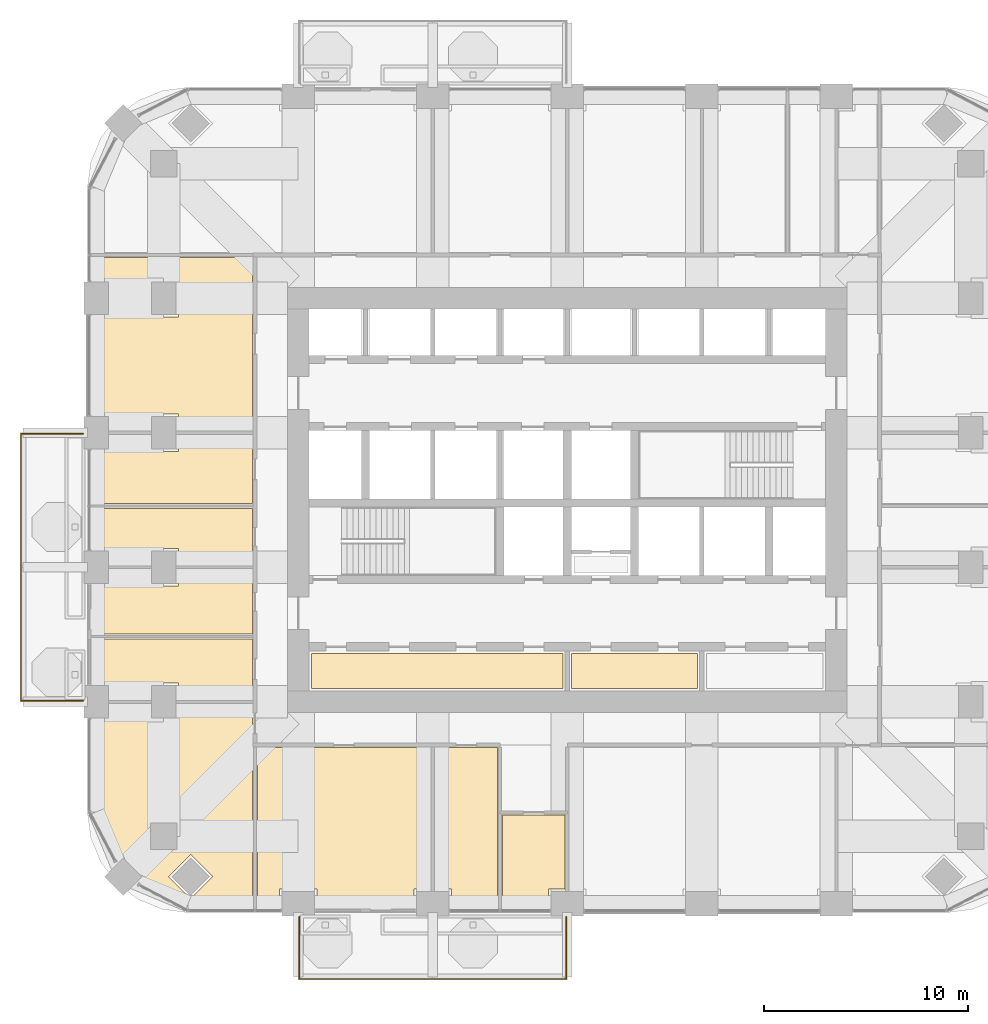
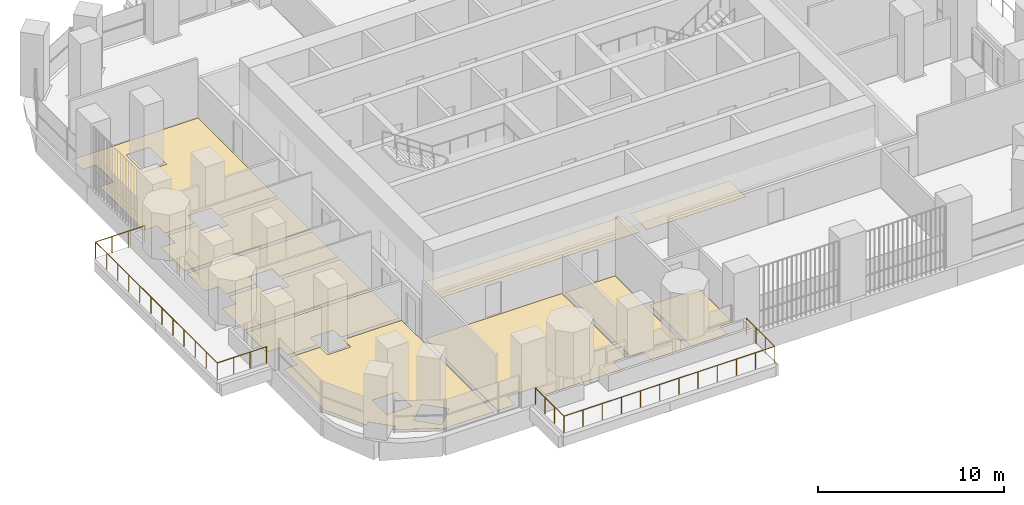
# One storey, part 16 of 20: 11 coverings, 2 railings.
"""IFC4 building model written with IfcOpenShell, lengths in metres."""

from ifc_helpers import new_model, si_unit, direction, frame, origin, place, context, subcontext, project, spatial, polyline, outline, extrude, material, layer, layer_set, type_object, element, save


model = new_model("IFC4")

# Units and contexts
model_context = context("Model", 3, precision=1e-05, world=origin(), true_north=direction((0.0, 1.0)))
body_context = subcontext(model_context, "Body", "Model", "MODEL_VIEW")
ifc_project = project(units=[si_unit("LENGTHUNIT", "METRE"), si_unit("AREAUNIT", "SQUARE_METRE"), si_unit("VOLUMEUNIT", "CUBIC_METRE"), si_unit("PLANEANGLEUNIT", "RADIAN"), si_unit("MASSUNIT", "GRAM", prefix="KILO")], contexts=[model_context])

# Site, building, storey
site_placement = place(None, origin())
site = spatial("IfcSite", under=ifc_project, at=site_placement, CompositionType="ELEMENT")
building_placement = place(site_placement, origin())
building = spatial("IfcBuilding", under=site, at=building_placement, Name="Cobogo Forest Laboratory Tower", CompositionType="ELEMENT")
storey_placement = place(building_placement, frame((0.0, 0.0, 218.699951171875)))
storey = spatial("IfcBuildingStorey", under=building, at=storey_placement, Name="L50", CompositionType="ELEMENT", Elevation=218.699951171875)

# Railings
ifc_material_1 = material(Name="Laminated glass balustrade", Category="glass")
railing_type = type_object("IfcRailingType", Name="BG1 glass balustrade 1100", PredefinedType="GUARDRAIL", material=ifc_material_1)
railing_1_placement = place(storey_placement, frame((13.25, 2.64990234375, 0.0)))
element("IfcRailing", 1, at=railing_1_placement, inside=storey, type_object=railing_type, Name="Balcony balustrade BAL-S1 L50", PredefinedType="GUARDRAIL", context=body_context, shape_type="SweptSolid", body=[
    extrude(outline(polyline([(0.022216796875, 0.00927734375), (0.00927734375, 0.022216796875), (-0.00927734375, 0.022216796875), (-0.022216796875, 0.00927734375), (-0.022216796875, -0.00927734375), (-0.00927734375, -0.022216796875), (0.00927734375, -0.022216796875), (0.022216796875, -0.00927734375), (0.022216796875, 0.00927734375)])), frame((0.0, 0.0, 1.077880859375), z_axis=(0.0, -1.0, 0.0), x_axis=(1.0, 0.0, 0.0)), (0.0, 0.0, 1.0), 3.0498046875),
    extrude(outline(polyline([(0.022216796875, 0.00927734375), (0.00927734375, 0.022216796875), (-0.00927734375, 0.022216796875), (-0.022216796875, 0.00927734375), (-0.022216796875, -0.00927734375), (-0.00927734375, -0.022216796875), (0.00927734375, -0.022216796875), (0.022216796875, -0.00927734375), (0.022216796875, 0.00927734375)])), frame((0.0, -3.0498046875, 1.077880859375), z_axis=(1.0, 0.0, 0.0), x_axis=(0.0, 1.0, 0.0)), (0.0, 0.0, 1.0), 13.10009765625),
    extrude(outline(polyline([(0.022216796875, 0.00927734375), (0.00927734375, 0.022216796875), (-0.00927734375, 0.022216796875), (-0.022216796875, 0.00927734375), (-0.022216796875, -0.00927734375), (-0.00927734375, -0.022216796875), (0.00927734375, -0.022216796875), (0.022216796875, -0.00927734375), (0.022216796875, 0.00927734375)])), frame((13.10009765625, -3.0498046875, 1.077880859375), z_axis=(0.0, 1.0, 0.0), x_axis=(-1.0, 0.0, 0.0)), (0.0, 0.0, 1.0), 3.0498046875),
    extrude(outline(polyline([(0.019287109375, 0.008056640625), (0.008056640625, 0.019287109375), (-0.008056640625, 0.019287109375), (-0.019287109375, 0.008056640625), (-0.019287109375, -0.008056640625), (-0.008056640625, -0.019287109375), (0.008056640625, -0.019287109375), (0.019287109375, -0.008056640625), (0.019287109375, 0.008056640625)])), origin(), (0.0, 0.0, 1.0), 1.077880859375),
    extrude(outline(polyline([(0.019287109375, 0.008056640625), (0.008056640625, 0.019287109375), (-0.008056640625, 0.019287109375), (-0.019287109375, 0.008056640625), (-0.019287109375, -0.008056640625), (-0.008056640625, -0.019287109375), (0.008056640625, -0.019287109375), (0.019287109375, -0.008056640625), (0.019287109375, 0.008056640625)])), frame((0.0, -1.0166015625, 0.0)), (0.0, 0.0, 1.0), 1.077880859375),
    extrude(outline(polyline([(0.019287109375, 0.008056640625), (0.008056640625, 0.019287109375), (-0.008056640625, 0.019287109375), (-0.019287109375, 0.008056640625), (-0.019287109375, -0.008056640625), (-0.008056640625, -0.019287109375), (0.008056640625, -0.019287109375), (0.019287109375, -0.008056640625), (0.019287109375, 0.008056640625)])), frame((0.0, -2.033203125, 0.0)), (0.0, 0.0, 1.0), 1.077880859375),
    extrude(outline(polyline([(0.019287109375, 0.008056640625), (0.008056640625, 0.019287109375), (-0.008056640625, 0.019287109375), (-0.019287109375, 0.008056640625), (-0.019287109375, -0.008056640625), (-0.008056640625, -0.019287109375), (0.008056640625, -0.019287109375), (0.019287109375, -0.008056640625), (0.019287109375, 0.008056640625)])), frame((0.0, -3.0498046875, 0.0)), (0.0, 0.0, 1.0), 1.077880859375),
    extrude(outline(polyline([(0.019287109375, 0.008056640625), (0.008056640625, 0.019287109375), (-0.008056640625, 0.019287109375), (-0.019287109375, 0.008056640625), (-0.019287109375, -0.008056640625), (-0.008056640625, -0.019287109375), (0.008056640625, -0.019287109375), (0.019287109375, -0.008056640625), (0.019287109375, 0.008056640625)])), frame((1.19091796875, -3.0498046875, 0.0)), (0.0, 0.0, 1.0), 1.077880859375),
    extrude(outline(polyline([(0.019287109375, 0.008056640625), (0.008056640625, 0.019287109375), (-0.008056640625, 0.019287109375), (-0.019287109375, 0.008056640625), (-0.019287109375, -0.008056640625), (-0.008056640625, -0.019287109375), (0.008056640625, -0.019287109375), (0.019287109375, -0.008056640625), (0.019287109375, 0.008056640625)])), frame((2.3818359375, -3.0498046875, 0.0)), (0.0, 0.0, 1.0), 1.077880859375),
    extrude(outline(polyline([(0.019287109375, 0.008056640625), (0.008056640625, 0.019287109375), (-0.008056640625, 0.019287109375), (-0.019287109375, 0.008056640625), (-0.019287109375, -0.008056640625), (-0.008056640625, -0.019287109375), (0.008056640625, -0.019287109375), (0.019287109375, -0.008056640625), (0.019287109375, 0.008056640625)])), frame((3.57275390625, -3.0498046875, 0.0)), (0.0, 0.0, 1.0), 1.077880859375),
    extrude(outline(polyline([(0.019287109375, 0.008056640625), (0.008056640625, 0.019287109375), (-0.008056640625, 0.019287109375), (-0.019287109375, 0.008056640625), (-0.019287109375, -0.008056640625), (-0.008056640625, -0.019287109375), (0.008056640625, -0.019287109375), (0.019287109375, -0.008056640625), (0.019287109375, 0.008056640625)])), frame((4.763671875, -3.0498046875, 0.0)), (0.0, 0.0, 1.0), 1.077880859375),
    extrude(outline(polyline([(0.019287109375, 0.008056640625), (0.008056640625, 0.019287109375), (-0.008056640625, 0.019287109375), (-0.019287109375, 0.008056640625), (-0.019287109375, -0.008056640625), (-0.008056640625, -0.019287109375), (0.008056640625, -0.019287109375), (0.019287109375, -0.008056640625), (0.019287109375, 0.008056640625)])), frame((5.95458984375, -3.0498046875, 0.0)), (0.0, 0.0, 1.0), 1.077880859375),
    extrude(outline(polyline([(0.019287109375, 0.008056640625), (0.008056640625, 0.019287109375), (-0.008056640625, 0.019287109375), (-0.019287109375, 0.008056640625), (-0.019287109375, -0.008056640625), (-0.008056640625, -0.019287109375), (0.008056640625, -0.019287109375), (0.019287109375, -0.008056640625), (0.019287109375, 0.008056640625)])), frame((7.1455078125, -3.0498046875, 0.0)), (0.0, 0.0, 1.0), 1.077880859375),
    extrude(outline(polyline([(0.019287109375, 0.008056640625), (0.008056640625, 0.019287109375), (-0.008056640625, 0.019287109375), (-0.019287109375, 0.008056640625), (-0.019287109375, -0.008056640625), (-0.008056640625, -0.019287109375), (0.008056640625, -0.019287109375), (0.019287109375, -0.008056640625), (0.019287109375, 0.008056640625)])), frame((8.33642578125, -3.0498046875, 0.0)), (0.0, 0.0, 1.0), 1.077880859375),
    extrude(outline(polyline([(0.019287109375, 0.008056640625), (0.008056640625, 0.019287109375), (-0.008056640625, 0.019287109375), (-0.019287109375, 0.008056640625), (-0.019287109375, -0.008056640625), (-0.008056640625, -0.019287109375), (0.008056640625, -0.019287109375), (0.019287109375, -0.008056640625), (0.019287109375, 0.008056640625)])), frame((9.52734375, -3.0498046875, 0.0)), (0.0, 0.0, 1.0), 1.077880859375),
    extrude(outline(polyline([(0.019287109375, 0.008056640625), (0.008056640625, 0.019287109375), (-0.008056640625, 0.019287109375), (-0.019287109375, 0.008056640625), (-0.019287109375, -0.008056640625), (-0.008056640625, -0.019287109375), (0.008056640625, -0.019287109375), (0.019287109375, -0.008056640625), (0.019287109375, 0.008056640625)])), frame((10.71826171875, -3.0498046875, 0.0)), (0.0, 0.0, 1.0), 1.077880859375),
    extrude(outline(polyline([(0.019287109375, 0.008056640625), (0.008056640625, 0.019287109375), (-0.008056640625, 0.019287109375), (-0.019287109375, 0.008056640625), (-0.019287109375, -0.008056640625), (-0.008056640625, -0.019287109375), (0.008056640625, -0.019287109375), (0.019287109375, -0.008056640625), (0.019287109375, 0.008056640625)])), frame((11.9091796875, -3.0498046875, 0.0)), (0.0, 0.0, 1.0), 1.077880859375),
    extrude(outline(polyline([(0.019287109375, 0.008056640625), (0.008056640625, 0.019287109375), (-0.008056640625, 0.019287109375), (-0.019287109375, 0.008056640625), (-0.019287109375, -0.008056640625), (-0.008056640625, -0.019287109375), (0.008056640625, -0.019287109375), (0.019287109375, -0.008056640625), (0.019287109375, 0.008056640625)])), frame((13.10009765625, -3.0498046875, 0.0)), (0.0, 0.0, 1.0), 1.077880859375),
    extrude(outline(polyline([(0.019287109375, 0.008056640625), (0.008056640625, 0.019287109375), (-0.008056640625, 0.019287109375), (-0.019287109375, 0.008056640625), (-0.019287109375, -0.008056640625), (-0.008056640625, -0.019287109375), (0.008056640625, -0.019287109375), (0.019287109375, -0.008056640625), (0.019287109375, 0.008056640625)])), frame((13.10009765625, -2.033203125, 0.0)), (0.0, 0.0, 1.0), 1.077880859375),
    extrude(outline(polyline([(0.019287109375, 0.008056640625), (0.008056640625, 0.019287109375), (-0.008056640625, 0.019287109375), (-0.019287109375, 0.008056640625), (-0.019287109375, -0.008056640625), (-0.008056640625, -0.019287109375), (0.008056640625, -0.019287109375), (0.019287109375, -0.008056640625), (0.019287109375, 0.008056640625)])), frame((13.10009765625, -1.0166015625, 0.0)), (0.0, 0.0, 1.0), 1.077880859375),
    extrude(outline(polyline([(0.019287109375, 0.008056640625), (0.008056640625, 0.019287109375), (-0.008056640625, 0.019287109375), (-0.019287109375, 0.008056640625), (-0.019287109375, -0.008056640625), (-0.008056640625, -0.019287109375), (0.008056640625, -0.019287109375), (0.019287109375, -0.008056640625), (0.019287109375, 0.008056640625)])), frame((13.10009765625, 0.0, 0.0)), (0.0, 0.0, 1.0), 1.077880859375),
])
railing_2_placement = place(storey_placement, frame((2.64990234375, 13.25, 0.0)))
element("IfcRailing", 2, at=railing_2_placement, inside=storey, type_object=railing_type, Name="Balcony balustrade BAL-W1 L50", PredefinedType="GUARDRAIL", context=body_context, shape_type="SweptSolid", body=[
    extrude(outline(polyline([(0.022216796875, 0.00927734375), (0.00927734375, 0.022216796875), (-0.00927734375, 0.022216796875), (-0.022216796875, 0.00927734375), (-0.022216796875, -0.00927734375), (-0.00927734375, -0.022216796875), (0.00927734375, -0.022216796875), (0.022216796875, -0.00927734375), (0.022216796875, 0.00927734375)])), frame((0.0, 0.0, 1.077880859375), z_axis=(-1.0, 0.0, 0.0), x_axis=(0.0, -1.0, 0.0)), (0.0, 0.0, 1.0), 3.0498046875),
    extrude(outline(polyline([(0.022216796875, 0.00927734375), (0.00927734375, 0.022216796875), (-0.00927734375, 0.022216796875), (-0.022216796875, 0.00927734375), (-0.022216796875, -0.00927734375), (-0.00927734375, -0.022216796875), (0.00927734375, -0.022216796875), (0.022216796875, -0.00927734375), (0.022216796875, 0.00927734375)])), frame((-3.0498046875, 0.0, 1.077880859375), z_axis=(0.0, 1.0, 0.0), x_axis=(-1.0, 0.0, 0.0)), (0.0, 0.0, 1.0), 13.10009765625),
    extrude(outline(polyline([(0.022216796875, 0.00927734375), (0.00927734375, 0.022216796875), (-0.00927734375, 0.022216796875), (-0.022216796875, 0.00927734375), (-0.022216796875, -0.00927734375), (-0.00927734375, -0.022216796875), (0.00927734375, -0.022216796875), (0.022216796875, -0.00927734375), (0.022216796875, 0.00927734375)])), frame((-3.0498046875, 13.10009765625, 1.077880859375), z_axis=(1.0, 0.0, 0.0), x_axis=(0.0, 1.0, 0.0)), (0.0, 0.0, 1.0), 3.0498046875),
    extrude(outline(polyline([(0.019287109375, 0.008056640625), (0.008056640625, 0.019287109375), (-0.008056640625, 0.019287109375), (-0.019287109375, 0.008056640625), (-0.019287109375, -0.008056640625), (-0.008056640625, -0.019287109375), (0.008056640625, -0.019287109375), (0.019287109375, -0.008056640625), (0.019287109375, 0.008056640625)])), origin(), (0.0, 0.0, 1.0), 1.077880859375),
    extrude(outline(polyline([(0.019287109375, 0.008056640625), (0.008056640625, 0.019287109375), (-0.008056640625, 0.019287109375), (-0.019287109375, 0.008056640625), (-0.019287109375, -0.008056640625), (-0.008056640625, -0.019287109375), (0.008056640625, -0.019287109375), (0.019287109375, -0.008056640625), (0.019287109375, 0.008056640625)])), frame((-1.0166015625, 0.0, 0.0)), (0.0, 0.0, 1.0), 1.077880859375),
    extrude(outline(polyline([(0.019287109375, 0.008056640625), (0.008056640625, 0.019287109375), (-0.008056640625, 0.019287109375), (-0.019287109375, 0.008056640625), (-0.019287109375, -0.008056640625), (-0.008056640625, -0.019287109375), (0.008056640625, -0.019287109375), (0.019287109375, -0.008056640625), (0.019287109375, 0.008056640625)])), frame((-2.033203125, 0.0, 0.0)), (0.0, 0.0, 1.0), 1.077880859375),
    extrude(outline(polyline([(0.019287109375, 0.008056640625), (0.008056640625, 0.019287109375), (-0.008056640625, 0.019287109375), (-0.019287109375, 0.008056640625), (-0.019287109375, -0.008056640625), (-0.008056640625, -0.019287109375), (0.008056640625, -0.019287109375), (0.019287109375, -0.008056640625), (0.019287109375, 0.008056640625)])), frame((-3.0498046875, 0.0, 0.0)), (0.0, 0.0, 1.0), 1.077880859375),
    extrude(outline(polyline([(0.019287109375, 0.008056640625), (0.008056640625, 0.019287109375), (-0.008056640625, 0.019287109375), (-0.019287109375, 0.008056640625), (-0.019287109375, -0.008056640625), (-0.008056640625, -0.019287109375), (0.008056640625, -0.019287109375), (0.019287109375, -0.008056640625), (0.019287109375, 0.008056640625)])), frame((-3.0498046875, 1.19091796875, 0.0)), (0.0, 0.0, 1.0), 1.077880859375),
    extrude(outline(polyline([(0.019287109375, 0.008056640625), (0.008056640625, 0.019287109375), (-0.008056640625, 0.019287109375), (-0.019287109375, 0.008056640625), (-0.019287109375, -0.008056640625), (-0.008056640625, -0.019287109375), (0.008056640625, -0.019287109375), (0.019287109375, -0.008056640625), (0.019287109375, 0.008056640625)])), frame((-3.0498046875, 2.3818359375, 0.0)), (0.0, 0.0, 1.0), 1.077880859375),
    extrude(outline(polyline([(0.019287109375, 0.008056640625), (0.008056640625, 0.019287109375), (-0.008056640625, 0.019287109375), (-0.019287109375, 0.008056640625), (-0.019287109375, -0.008056640625), (-0.008056640625, -0.019287109375), (0.008056640625, -0.019287109375), (0.019287109375, -0.008056640625), (0.019287109375, 0.008056640625)])), frame((-3.0498046875, 3.57275390625, 0.0)), (0.0, 0.0, 1.0), 1.077880859375),
    extrude(outline(polyline([(0.019287109375, 0.008056640625), (0.008056640625, 0.019287109375), (-0.008056640625, 0.019287109375), (-0.019287109375, 0.008056640625), (-0.019287109375, -0.008056640625), (-0.008056640625, -0.019287109375), (0.008056640625, -0.019287109375), (0.019287109375, -0.008056640625), (0.019287109375, 0.008056640625)])), frame((-3.0498046875, 4.763671875, 0.0)), (0.0, 0.0, 1.0), 1.077880859375),
    extrude(outline(polyline([(0.019287109375, 0.008056640625), (0.008056640625, 0.019287109375), (-0.008056640625, 0.019287109375), (-0.019287109375, 0.008056640625), (-0.019287109375, -0.008056640625), (-0.008056640625, -0.019287109375), (0.008056640625, -0.019287109375), (0.019287109375, -0.008056640625), (0.019287109375, 0.008056640625)])), frame((-3.0498046875, 5.95458984375, 0.0)), (0.0, 0.0, 1.0), 1.077880859375),
    extrude(outline(polyline([(0.019287109375, 0.008056640625), (0.008056640625, 0.019287109375), (-0.008056640625, 0.019287109375), (-0.019287109375, 0.008056640625), (-0.019287109375, -0.008056640625), (-0.008056640625, -0.019287109375), (0.008056640625, -0.019287109375), (0.019287109375, -0.008056640625), (0.019287109375, 0.008056640625)])), frame((-3.0498046875, 7.1455078125, 0.0)), (0.0, 0.0, 1.0), 1.077880859375),
    extrude(outline(polyline([(0.019287109375, 0.008056640625), (0.008056640625, 0.019287109375), (-0.008056640625, 0.019287109375), (-0.019287109375, 0.008056640625), (-0.019287109375, -0.008056640625), (-0.008056640625, -0.019287109375), (0.008056640625, -0.019287109375), (0.019287109375, -0.008056640625), (0.019287109375, 0.008056640625)])), frame((-3.0498046875, 8.33642578125, 0.0)), (0.0, 0.0, 1.0), 1.077880859375),
    extrude(outline(polyline([(0.019287109375, 0.008056640625), (0.008056640625, 0.019287109375), (-0.008056640625, 0.019287109375), (-0.019287109375, 0.008056640625), (-0.019287109375, -0.008056640625), (-0.008056640625, -0.019287109375), (0.008056640625, -0.019287109375), (0.019287109375, -0.008056640625), (0.019287109375, 0.008056640625)])), frame((-3.0498046875, 9.52734375, 0.0)), (0.0, 0.0, 1.0), 1.077880859375),
    extrude(outline(polyline([(0.019287109375, 0.008056640625), (0.008056640625, 0.019287109375), (-0.008056640625, 0.019287109375), (-0.019287109375, 0.008056640625), (-0.019287109375, -0.008056640625), (-0.008056640625, -0.019287109375), (0.008056640625, -0.019287109375), (0.019287109375, -0.008056640625), (0.019287109375, 0.008056640625)])), frame((-3.0498046875, 10.71826171875, 0.0)), (0.0, 0.0, 1.0), 1.077880859375),
    extrude(outline(polyline([(0.019287109375, 0.008056640625), (0.008056640625, 0.019287109375), (-0.008056640625, 0.019287109375), (-0.019287109375, 0.008056640625), (-0.019287109375, -0.008056640625), (-0.008056640625, -0.019287109375), (0.008056640625, -0.019287109375), (0.019287109375, -0.008056640625), (0.019287109375, 0.008056640625)])), frame((-3.0498046875, 11.9091796875, 0.0)), (0.0, 0.0, 1.0), 1.077880859375),
    extrude(outline(polyline([(0.019287109375, 0.008056640625), (0.008056640625, 0.019287109375), (-0.008056640625, 0.019287109375), (-0.019287109375, 0.008056640625), (-0.019287109375, -0.008056640625), (-0.008056640625, -0.019287109375), (0.008056640625, -0.019287109375), (0.019287109375, -0.008056640625), (0.019287109375, 0.008056640625)])), frame((-3.0498046875, 13.10009765625, 0.0)), (0.0, 0.0, 1.0), 1.077880859375),
    extrude(outline(polyline([(0.019287109375, 0.008056640625), (0.008056640625, 0.019287109375), (-0.008056640625, 0.019287109375), (-0.019287109375, 0.008056640625), (-0.019287109375, -0.008056640625), (-0.008056640625, -0.019287109375), (0.008056640625, -0.019287109375), (0.019287109375, -0.008056640625), (0.019287109375, 0.008056640625)])), frame((-2.033203125, 13.10009765625, 0.0)), (0.0, 0.0, 1.0), 1.077880859375),
    extrude(outline(polyline([(0.019287109375, 0.008056640625), (0.008056640625, 0.019287109375), (-0.008056640625, 0.019287109375), (-0.019287109375, 0.008056640625), (-0.019287109375, -0.008056640625), (-0.008056640625, -0.019287109375), (0.008056640625, -0.019287109375), (0.019287109375, -0.008056640625), (0.019287109375, 0.008056640625)])), frame((-1.0166015625, 13.10009765625, 0.0)), (0.0, 0.0, 1.0), 1.077880859375),
    extrude(outline(polyline([(0.019287109375, 0.008056640625), (0.008056640625, 0.019287109375), (-0.008056640625, 0.019287109375), (-0.019287109375, 0.008056640625), (-0.019287109375, -0.008056640625), (-0.008056640625, -0.019287109375), (0.008056640625, -0.019287109375), (0.019287109375, -0.008056640625), (0.019287109375, 0.008056640625)])), frame((0.0, 13.10009765625, 0.0)), (0.0, 0.0, 1.0), 1.077880859375),
])

# Coverings
ifc_material_2 = material(Name="Carpet tile on raised access floor", Category="flooring")
ifc_layer_1 = layer(ifc_material_2, 0.008056640625)
ifc_layer_set_1 = layer_set([ifc_layer_1], Name="CT1 carpet tile floor 8")
covering_type_1 = type_object("IfcCoveringType", Name="CT1 carpet tile floor 8", PredefinedType="FLOORING", material=ifc_layer_set_1)
covering_1_placement = place(storey_placement, origin())
element("IfcCovering", 3, at=covering_1_placement, inside=storey, type_object=covering_type_1, Name="Carpet floor L50-01", PredefinedType="FLOORING", context=body_context, shape_type="SweptSolid", body=[
    extrude(outline(polyline([(19.679931640625, 10.955078125), (19.679931640625, 4.02001953125), (18.8798828125, 4.02001953125), (18.8798828125, 3.14990234375), (14.1201171875, 3.14990234375), (14.1201171875, 4.02001953125), (12.280029296875, 4.02001953125), (12.280029296875, 3.14990234375), (11.195068359375, 3.14990234375), (11.195068359375, 10.955078125), (19.679931640625, 10.955078125)])), origin(), (0.0, 0.0, 1.0), 0.008056640625),
])
covering_2_placement = place(storey_placement, origin())
element("IfcCovering", 4, at=covering_2_placement, inside=storey, type_object=covering_type_1, Name="Carpet floor L50-02", PredefinedType="FLOORING", context=body_context, shape_type="SweptSolid", body=[
    extrude(outline(polyline([(22.97998046875, 10.955078125), (22.97998046875, 3.14990234375), (20.719970703125, 3.14990234375), (20.719970703125, 4.02001953125), (19.919921875, 4.02001953125), (19.919921875, 10.955078125), (22.97998046875, 10.955078125)])), origin(), (0.0, 0.0, 1.0), 0.008056640625),
])
covering_3_placement = place(storey_placement, origin())
element("IfcCovering", 5, at=covering_3_placement, inside=storey, type_object=covering_type_1, Name="Carpet floor L50-03", PredefinedType="FLOORING", context=body_context, shape_type="SweptSolid", body=[
    extrude(outline(polyline([(26.280029296875, 7.655029296875), (26.280029296875, 4.02001953125), (25.47998046875, 4.02001953125), (25.47998046875, 3.14990234375), (23.219970703125, 3.14990234375), (23.219970703125, 7.655029296875), (26.280029296875, 7.655029296875)])), origin(), (0.0, 0.0, 1.0), 0.008056640625),
])
covering_4_placement = place(storey_placement, origin())
element("IfcCovering", 6, at=covering_4_placement, inside=storey, type_object=covering_type_1, Name="Carpet floor L50-16", PredefinedType="FLOORING", context=body_context, shape_type="SweptSolid", body=[
    extrude(outline(polyline([(10.955078125, 3.14990234375), (7.84912109375, 3.14990234375), (5.480712890625, 4.3916015625), (5.70703125, 4.617919921875), (4.617919921875, 5.70703125), (4.3916015625, 5.480712890625), (3.14990234375, 7.84912109375), (3.14990234375, 12.280029296875), (4.02001953125, 12.280029296875), (4.02001953125, 13.080078125), (5.8798828125, 13.080078125), (5.8798828125, 12.280029296875), (7.320068359375, 12.280029296875), (7.320068359375, 13.080078125), (10.955078125, 13.080078125), (10.955078125, 3.14990234375)]), holes=[polyline([(7.91796875, 3.529052734375), (9.007080078125, 4.617919921875), (7.91796875, 5.70703125), (6.8291015625, 4.617919921875), (7.91796875, 3.529052734375)]), polyline([(5.830078125, 5.830078125), (7.3701171875, 5.830078125), (7.3701171875, 7.3701171875), (5.830078125, 7.3701171875), (5.830078125, 5.830078125)])]), origin(), (0.0, 0.0, 1.0), 0.008056640625),
])
covering_5_placement = place(storey_placement, origin())
element("IfcCovering", 7, at=covering_5_placement, inside=storey, type_object=covering_type_1, Name="Carpet floor L50-30", PredefinedType="FLOORING", context=body_context, shape_type="SweptSolid", body=[
    extrude(outline(polyline([(26.179931640625, 13.844970703125), (13.844970703125, 13.844970703125), (13.844970703125, 15.580078125), (26.179931640625, 15.580078125), (26.179931640625, 13.844970703125)])), origin(), (0.0, 0.0, 1.0), 0.008056640625),
])
ifc_material_3 = material(Name="Epoxy resin flooring", Category="flooring")
ifc_layer_2 = layer(ifc_material_3, 0.00390625)
ifc_layer_set_2 = layer_set([ifc_layer_2], Name="LF1 epoxy laboratory floor 4")
covering_type_2 = type_object("IfcCoveringType", Name="LF1 epoxy laboratory floor 4", PredefinedType="FLOORING", material=ifc_layer_set_2)
covering_6_placement = place(storey_placement, origin())
element("IfcCovering", 8, at=covering_6_placement, inside=storey, type_object=covering_type_2, Name="Epoxy laboratory floor L50-21", PredefinedType="FLOORING", context=body_context, shape_type="SweptSolid", body=[
    extrude(outline(polyline([(10.955078125, 26.52001953125), (7.320068359375, 26.52001953125), (7.320068359375, 27.320068359375), (5.8798828125, 27.320068359375), (5.8798828125, 26.52001953125), (4.02001953125, 26.52001953125), (4.02001953125, 27.320068359375), (3.14990234375, 27.320068359375), (3.14990234375, 32.080078125), (4.02001953125, 32.080078125), (4.02001953125, 33.919921875), (3.14990234375, 33.919921875), (3.14990234375, 35.0048828125), (10.955078125, 35.0048828125), (10.955078125, 26.52001953125)]), holes=[polyline([(5.8798828125, 32.080078125), (7.320068359375, 32.080078125), (7.320068359375, 33.919921875), (5.8798828125, 33.919921875), (5.8798828125, 32.080078125)])]), origin(), (0.0, 0.0, 1.0), 0.004150390625),
])
ifc_material_4 = material(Name="Ceramic floor tile", Category="flooring")
ifc_layer_3 = layer(ifc_material_4, 0.010009765625)
ifc_layer_set_3 = layer_set([ifc_layer_3], Name="TF1 ceramic tile floor 10")
covering_type_3 = type_object("IfcCoveringType", Name="TF1 ceramic tile floor 10", PredefinedType="FLOORING", material=ifc_layer_set_3)
covering_7_placement = place(storey_placement, origin())
element("IfcCovering", 9, at=covering_7_placement, inside=storey, type_object=covering_type_3, Name="Tile floor L50-17", PredefinedType="FLOORING", context=body_context, shape_type="SweptSolid", body=[
    extrude(outline(polyline([(10.955078125, 13.320068359375), (7.320068359375, 13.320068359375), (7.320068359375, 14.1201171875), (5.8798828125, 14.1201171875), (5.8798828125, 13.320068359375), (4.02001953125, 13.320068359375), (4.02001953125, 14.1201171875), (3.14990234375, 14.1201171875), (3.14990234375, 16.280029296875), (10.955078125, 16.280029296875), (10.955078125, 13.320068359375)])), origin(), (0.0, 0.0, 1.0), 0.010009765625),
])
covering_8_placement = place(storey_placement, origin())
element("IfcCovering", 10, at=covering_8_placement, inside=storey, type_object=covering_type_3, Name="Tile floor L50-18", PredefinedType="FLOORING", context=body_context, shape_type="SweptSolid", body=[
    extrude(outline(polyline([(10.955078125, 16.52001953125), (3.14990234375, 16.52001953125), (3.14990234375, 18.8798828125), (4.02001953125, 18.8798828125), (4.02001953125, 19.679931640625), (5.8798828125, 19.679931640625), (5.8798828125, 18.8798828125), (7.320068359375, 18.8798828125), (7.320068359375, 19.679931640625), (10.955078125, 19.679931640625), (10.955078125, 16.52001953125)])), origin(), (0.0, 0.0, 1.0), 0.010009765625),
])
covering_9_placement = place(storey_placement, origin())
element("IfcCovering", 11, at=covering_9_placement, inside=storey, type_object=covering_type_3, Name="Tile floor L50-19", PredefinedType="FLOORING", context=body_context, shape_type="SweptSolid", body=[
    extrude(outline(polyline([(10.955078125, 19.919921875), (7.320068359375, 19.919921875), (7.320068359375, 20.719970703125), (5.8798828125, 20.719970703125), (5.8798828125, 19.919921875), (4.02001953125, 19.919921875), (4.02001953125, 20.719970703125), (3.14990234375, 20.719970703125), (3.14990234375, 22.679931640625), (10.955078125, 22.679931640625), (10.955078125, 19.919921875)])), origin(), (0.0, 0.0, 1.0), 0.010009765625),
])
covering_10_placement = place(storey_placement, origin())
element("IfcCovering", 12, at=covering_10_placement, inside=storey, type_object=covering_type_3, Name="Tile floor L50-20", PredefinedType="FLOORING", context=body_context, shape_type="SweptSolid", body=[
    extrude(outline(polyline([(10.955078125, 22.919921875), (3.14990234375, 22.919921875), (3.14990234375, 25.47998046875), (4.02001953125, 25.47998046875), (4.02001953125, 26.280029296875), (5.8798828125, 26.280029296875), (5.8798828125, 25.47998046875), (7.320068359375, 25.47998046875), (7.320068359375, 26.280029296875), (10.955078125, 26.280029296875), (10.955078125, 22.919921875)])), origin(), (0.0, 0.0, 1.0), 0.010009765625),
])
covering_11_placement = place(storey_placement, origin())
element("IfcCovering", 13, at=covering_11_placement, inside=storey, type_object=covering_type_3, Name="Tile floor L50-31", PredefinedType="FLOORING", context=body_context, shape_type="SweptSolid", body=[
    extrude(outline(polyline([(32.780029296875, 13.844970703125), (26.6201171875, 13.844970703125), (26.6201171875, 15.580078125), (32.780029296875, 15.580078125), (32.780029296875, 13.844970703125)])), origin(), (0.0, 0.0, 1.0), 0.010009765625),
])

save(model, "model.ifc")
